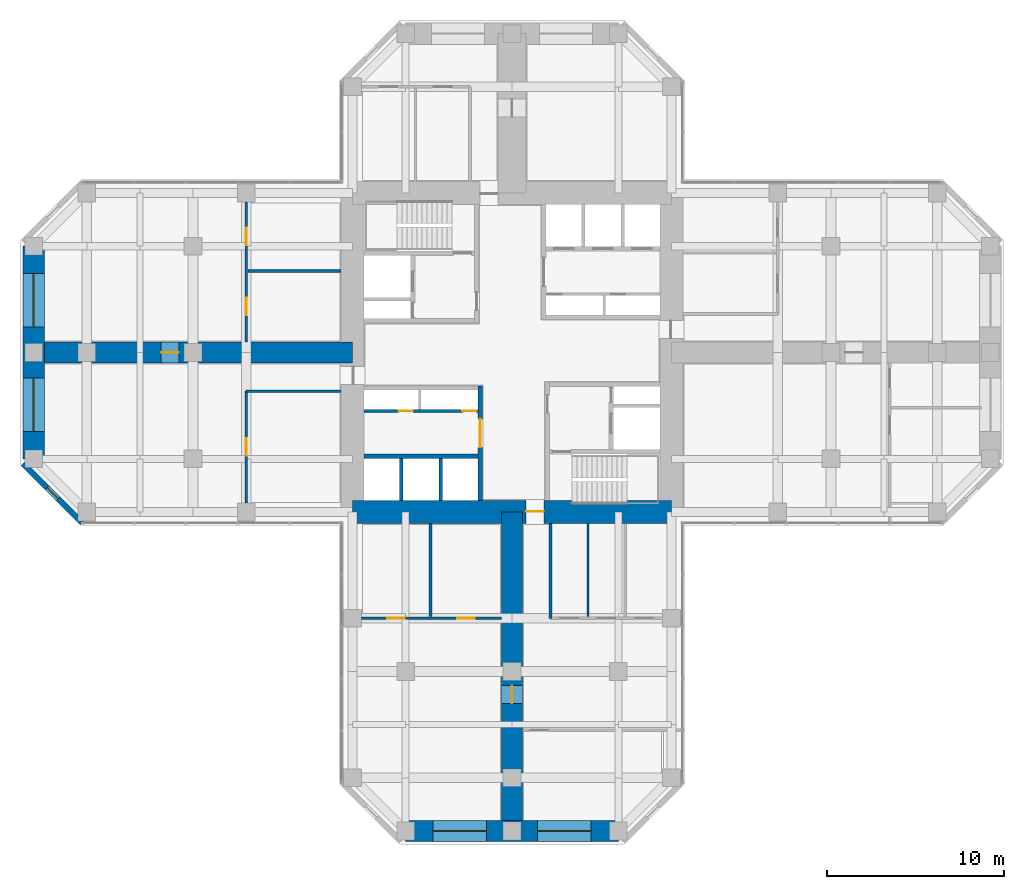
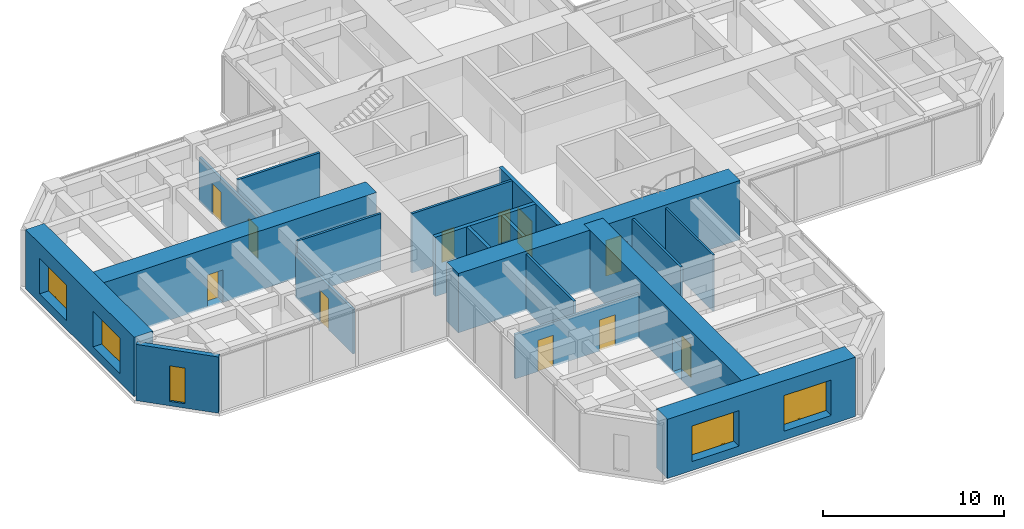
# One storey, part 8 of 12: 19 walls, 11 doors, 5 windows, 16 openings.
"""IFC4 building model written with IfcOpenShell, lengths in metres."""

import ifcopenshell
import ifcopenshell.guid

model = None  # the IFC model being written
_history = None  # IfcOwnerHistory: only IFC2X3 demands one
_inside = {}  # id of a spatial element -> (the spatial element, [elements in it])
_under = {}  # id of a project, library or spatial element -> (it, [spatial elements below it])
_declared = {}  # id of a project -> (the project, [libraries it declares])
_typed = {}  # id of a type object -> (the type object, [elements of that type])
_made_of = {}  # id of a material, layer set ... -> (it, [elements and type objects made of it])


def new_model(schema):
    """Start an empty IFC model of exactly this schema.

    Asked for "IFC4X3", IfcOpenShell would pick the latest addendum, in which some entities
    have other attributes; the version numbers below select the first issue.
    IFC2X3 requires an IfcOwnerHistory on every rooted entity: one is made here for all.
    """
    global model, _history
    if schema == "IFC4X3":
        model = ifcopenshell.file(schema_version=(4, 3, 0, 0))
    else:
        model = ifcopenshell.file(schema=schema)
    _inside.clear()
    _under.clear()
    _declared.clear()
    _typed.clear()
    _made_of.clear()
    _history = None
    if model.schema == "IFC2X3":
        org = make("IfcOrganization", Name="unknown")
        user = make(
            "IfcPersonAndOrganization",
            ThePerson=make("IfcPerson", FamilyName="unknown"),
            TheOrganization=org,
        )
        app = make(
            "IfcApplication",
            ApplicationDeveloper=org,
            Version="unknown",
            ApplicationFullName="unknown",
            ApplicationIdentifier="unknown",
        )
        _history = make(
            "IfcOwnerHistory",
            OwningUser=user,
            OwningApplication=app,
            ChangeAction="ADDED",
            CreationDate=0,
        )
    return model


def make(cls, **values):
    """One entity of the class cls with the attributes given. An attribute that is None is left unset."""
    return model.create_entity(
        cls, **{name: value for name, value in values.items() if value is not None}
    )


def rooted(cls, **values):
    """An entity with a GlobalId (a new one), such as an element, a storey or a relation."""
    return make(cls, GlobalId=ifcopenshell.guid.new(), OwnerHistory=_history, **values)


def si_unit(unit_type, name, prefix=None):
    """IfcSIUnit, for example si_unit("LENGTHUNIT", "METRE", prefix="MILLI")."""
    return make("IfcSIUnit", UnitType=unit_type, Prefix=prefix, Name=name)


def assignment(units):
    """IfcUnitAssignment: the units of a project."""
    return None if units is None else make("IfcUnitAssignment", Units=units)


def point(xyz):
    """IfcCartesianPoint."""
    return None if xyz is None else make("IfcCartesianPoint", Coordinates=xyz)


def direction(xyz):
    """IfcDirection."""
    return None if xyz is None else make("IfcDirection", DirectionRatios=xyz)


def frame(location, z_axis=None, x_axis=None):
    """IfcAxis2Placement3D, a coordinate frame: its origin and axes. An axis left out is left unset."""
    return make(
        "IfcAxis2Placement3D",
        Location=point(location),
        Axis=direction(z_axis),
        RefDirection=direction(x_axis),
    )


def frame_2d(location, x_axis=None):
    """IfcAxis2Placement2D, a coordinate frame in the plane: its origin and x axis."""
    return make(
        "IfcAxis2Placement2D", Location=point(location), RefDirection=direction(x_axis)
    )


def origin():
    """The frame at (0, 0, 0) with its axes left unset."""
    return frame((0.0, 0.0, 0.0))


def place(relative_to, where):
    """IfcLocalPlacement: puts the frame where relative to a parent placement (None: the world)."""
    return make(
        "IfcLocalPlacement", PlacementRelTo=relative_to, RelativePlacement=where
    )


def context(
    kind, dimensions, precision=None, world=None, true_north=None, identifier=None
):
    """IfcGeometricRepresentationContext, for example the 3D "Model" context."""
    return make(
        "IfcGeometricRepresentationContext",
        ContextIdentifier=identifier,
        ContextType=kind,
        CoordinateSpaceDimension=dimensions,
        Precision=precision,
        WorldCoordinateSystem=world,
        TrueNorth=true_north,
    )


def subcontext(parent, identifier, kind, view, scale=None):
    """IfcGeometricRepresentationSubContext, for example "Body" below "Model"."""
    return make(
        "IfcGeometricRepresentationSubContext",
        ContextIdentifier=identifier,
        ContextType=kind,
        ParentContext=parent,
        TargetScale=scale,
        TargetView=view,
    )


def project(units=None, contexts=None):
    """IfcProject with its units and contexts."""
    return rooted(
        "IfcProject",
        Name="project",
        RepresentationContexts=contexts,
        UnitsInContext=assignment(units),
    )


def spatial(cls, under=None, at=None, **own):
    """A site, building, storey or space (cls), placed at a placement, below another one or the project."""
    s = rooted(cls, ObjectPlacement=at, **own)
    if under is not None:
        _under.setdefault(under.id(), (under, []))[1].append(s)
    return s


def profile(cls, at=None, kind="AREA", **sizes):
    """A parametric profile (cls). Its sizes go by their IFC names, for example OverallWidth=200.0."""
    return make(cls, ProfileType=kind, Position=at, **sizes)


def rectangle(**sizes):
    """IfcRectangleProfileDef."""
    return profile("IfcRectangleProfileDef", **sizes)


def hollow_rectangle(**sizes):
    """IfcRectangleHollowProfileDef."""
    return profile("IfcRectangleHollowProfileDef", **sizes)


def extrude(swept, where, along, depth):
    """IfcExtrudedAreaSolid: the profile swept, set in the frame where, extruded along a direction by depth."""
    return make(
        "IfcExtrudedAreaSolid",
        SweptArea=swept,
        Position=where,
        ExtrudedDirection=direction(along),
        Depth=depth,
    )


def shape(context_of_items, identifier, shape_type, items):
    """IfcShapeRepresentation: the items that make up one representation, for example the "Body"."""
    return make(
        "IfcShapeRepresentation",
        ContextOfItems=context_of_items,
        RepresentationIdentifier=identifier,
        RepresentationType=shape_type,
        Items=items,
    )


def material(Name=None, Category=None):
    """IfcMaterial."""
    return make("IfcMaterial", Name=Name, Category=Category)


def layer(
    of_material, thickness, ventilated=None, Name=None, Category=None, Priority=None
):
    """IfcMaterialLayer: one layer of a wall or slab, of a material (None: an air gap)."""
    return make(
        "IfcMaterialLayer",
        Material=of_material,
        LayerThickness=thickness,
        IsVentilated=ventilated,
        Name=Name,
        Category=Category,
        Priority=Priority,
    )


def layer_set(layers, Name=None):
    """IfcMaterialLayerSet."""
    return make("IfcMaterialLayerSet", MaterialLayers=layers, LayerSetName=Name)


def constituent(of_material, Name=None, Category=None, fraction=None):
    """IfcMaterialConstituent: one of the materials an element consists of."""
    return make(
        "IfcMaterialConstituent",
        Name=Name,
        Material=of_material,
        Fraction=fraction,
        Category=Category,
    )


def constituent_set(constituents=None, Name=None):
    """IfcMaterialConstituentSet."""
    return make(
        "IfcMaterialConstituentSet", Name=Name, MaterialConstituents=constituents
    )


def made_of(thing, what):
    """Note that an element or type object is made of a material, layer set ...; save() writes the relation."""
    if what is not None:
        _made_of.setdefault(what.id(), (what, []))[1].append(thing)
    return thing


def type_object(cls, material=None, **own):
    """A type object (cls), such as IfcWallType, which elements share."""
    return made_of(rooted(cls, **own), material)


def element(
    cls,
    number,
    at=None,
    inside=None,
    cuts=None,
    type_object=None,
    material=None,
    context=None,
    identifier="Body",
    shape_type=None,
    held_by="IfcProductDefinitionShape",
    body=None,
    shapes=None,
    **own,
):
    """One element of the class cls, such as IfcWall. Its Tag is "e" and its number.

    at: its placement. inside: the storey or other place that contains it. cuts: it is an
    opening in that element (IfcRelVoidsElement). A single representation is given by context,
    identifier, shape_type and body (its items); several are given by shapes. held_by: the class
    of the entity that holds the representations. save() writes the other relations.
    """
    e = rooted(cls, Tag="e%d" % number, ObjectPlacement=at, **own)
    if body is not None:
        shapes = [shape(context, identifier, shape_type, body)]
    if shapes is not None:
        e.Representation = make(held_by, Representations=shapes)
    if inside is not None:
        _inside.setdefault(inside.id(), (inside, []))[1].append(e)
    if cuts is not None:
        rooted(
            "IfcRelVoidsElement", RelatingBuildingElement=cuts, RelatedOpeningElement=e
        )
    if type_object is not None:
        _typed.setdefault(type_object.id(), (type_object, []))[1].append(e)
    return made_of(e, material)


def fill(opening, filler):
    """IfcRelFillsElement: the door or window that sits in an opening."""
    return rooted(
        "IfcRelFillsElement",
        RelatingOpeningElement=opening,
        RelatedBuildingElement=filler,
    )


def aggregate(whole, parts):
    """IfcRelAggregates: a whole, such as a stair, and the parts it consists of."""
    return rooted("IfcRelAggregates", RelatingObject=whole, RelatedObjects=parts)


def save(model, path):
    """Write the relations noted so far, then the file.

    IfcRelAggregates (storeys below a building ...), IfcRelContainedInSpatialStructure (elements
    in a storey), IfcRelDefinesByType, IfcRelAssociatesMaterial and IfcRelDeclares: one each for
    every whole, place, type object, material and project.
    """
    for whole, parts in _under.values():
        aggregate(whole, parts)
    for where, things in _inside.values():
        rooted(
            "IfcRelContainedInSpatialStructure",
            RelatedElements=things,
            RelatingStructure=where,
        )
    for kind, things in _typed.values():
        rooted("IfcRelDefinesByType", RelatedObjects=things, RelatingType=kind)
    for what, things in _made_of.values():
        rooted("IfcRelAssociatesMaterial", RelatedObjects=things, RelatingMaterial=what)
    for by, libraries in _declared.values():
        rooted("IfcRelDeclares", RelatingContext=by, RelatedDefinitions=libraries)
    model.write(path)


model = new_model("IFC4")

# Units and contexts
model_context = context("Model", 3, precision=1e-05, world=origin(), true_north=direction((0.0, 1.0)))
body_context = subcontext(model_context, "Body", "Model", "MODEL_VIEW")
ifc_project = project(units=[si_unit("LENGTHUNIT", "METRE"), si_unit("AREAUNIT", "SQUARE_METRE"), si_unit("VOLUMEUNIT", "CUBIC_METRE"), si_unit("PLANEANGLEUNIT", "RADIAN"), si_unit("MASSUNIT", "GRAM", prefix="KILO")], contexts=[model_context])

# Site, building, storey
site_placement = place(None, origin())
site = spatial("IfcSite", under=ifc_project, at=site_placement, CompositionType="ELEMENT")
building_placement = place(site_placement, origin())
building = spatial("IfcBuilding", under=site, at=building_placement, Name="Torre Cruceta", CompositionType="ELEMENT")
storey_placement = place(building_placement, frame((0.0, 0.0, 120.5)))
storey = spatial("IfcBuildingStorey", under=building, at=storey_placement, Name="L29", CompositionType="ELEMENT", Elevation=120.5)

# Wall, opening, door
ifc_material_1 = material(Name="Concrete G60 (fck 60 MPa)", Category="concrete")
ifc_layer_1 = layer(ifc_material_1, 0.25)
ifc_layer_set_1 = layer_set([ifc_layer_1], Name="Concrete G60 (fck 60 MPa)")
wall_type_1 = type_object("IfcWallType", Name="CORE INNER WALL 250 G60", PredefinedType="SHEAR", material=ifc_layer_set_1)
wall_1_placement = place(storey_placement, frame((-1.800048828125, -1.875, 0.0), z_axis=(0.0, 0.0, 1.0), x_axis=(0.0, -1.0, 0.0)))
wall_1 = element("IfcWall", 1, at=wall_1_placement, inside=storey, type_object=wall_type_1, Name="CW4 L29 SW-CU", PredefinedType="SHEAR", context=body_context, shape_type="SweptSolid", body=[
    extrude(rectangle(XDim=6.47509765625, YDim=0.25, at=frame_2d((3.237548828125, 0.0))), origin(), (0.0, 0.0, 1.0), 4.0),
])
opening_1_placement = place(wall_1_placement, frame((1.875, 0.0, 0.0)))
opening_1 = element("IfcOpeningElement", 2, at=opening_1_placement, cuts=wall_1, Name="Opening D15", PredefinedType="OPENING", context=body_context, shape_type="SweptSolid", body=[
    extrude(rectangle(XDim=1.60009765625, YDim=2.39990234375, at=frame_2d((0.800048828125, 1.199951171875))), frame((0.0, 0.135009765625, 0.0), z_axis=(0.0, -1.0, 0.0), x_axis=(1.0, 0.0, 0.0)), (0.0, 0.0, 1.0), 0.27001953125),
])
ifc_material_2 = material(Name="Steel DX51D", Category="steel")
ifc_constituent_1 = constituent(ifc_material_2, Name="Leaf and frame")
ifc_material_3 = material(Name="Polyester powder coating", Category="paint")
ifc_constituent_2 = constituent(ifc_material_3, Name="Finish")
ifc_constituent_set_1 = constituent_set(constituents=[ifc_constituent_1, ifc_constituent_2], Name="Steel fire door")
door_type_1 = type_object("IfcDoorType", Name="CORE ROOM DOUBLE DOOR 1600X2400", OperationType="DOUBLE_DOOR_SINGLE_SWING", PredefinedType="DOOR", material=ifc_constituent_set_1)
door_1_placement = place(opening_1_placement, frame((1.60009765625, 0.0, 0.0), z_axis=(0.0, 0.0, 1.0), x_axis=(-1.0, 0.0, 0.0)))
door_1 = element("IfcDoor", 3, at=door_1_placement, inside=storey, type_object=door_type_1, Name="D15 L29 SW-LOBBY", OperationType="DOUBLE_DOOR_SINGLE_SWING", OverallHeight=2.39990234375, OverallWidth=1.60009765625, PredefinedType="DOOR", context=body_context, shape_type="SweptSolid", body=[
    extrude(rectangle(XDim=1.60009765625, YDim=2.39990234375, at=frame_2d((0.800048828125, 1.199951171875))), frame((0.0, 0.025146484375, 0.0), z_axis=(0.0, -1.0, 0.0), x_axis=(1.0, 0.0, 0.0)), (0.0, 0.0, 1.0), 0.050048828125),
])
fill(opening_1, door_1)

# Wall
wall_2_placement = place(storey_placement, frame((-1.925048828125, -5.85009765625, 0.0), z_axis=(0.0, 0.0, 1.0), x_axis=(-1.0, 0.0, 0.0)))
element("IfcWall", 4, at=wall_2_placement, inside=storey, type_object=wall_type_1, Name="CW4 L29 SW-LV", PredefinedType="SHEAR", context=body_context, shape_type="SweptSolid", body=[
    extrude(rectangle(XDim=6.425048828125, YDim=0.25, at=frame_2d((3.21240234375, 0.0))), origin(), (0.0, 0.0, 1.0), 4.0),
])

# Wall, opening, door
ifc_material_4 = material(Name="Concrete G60 (fck 60 MPa)", Category="concrete")
ifc_layer_2 = layer(ifc_material_4, 1.300048828125)
ifc_layer_set_2 = layer_set([ifc_layer_2], Name="Concrete G60 (fck 60 MPa)")
wall_type_2 = type_object("IfcWallType", Name="CORE WALL 1300 G60", PredefinedType="SHEAR", material=ifc_layer_set_2)
wall_3_placement = place(storey_placement, frame((-9.0, -9.0, 0.0), z_axis=(0.0, 0.0, 1.0), x_axis=(1.0, 0.0, 0.0)))
wall_3 = element("IfcWall", 5, at=wall_3_placement, inside=storey, type_object=wall_type_2, Name="CW1 L29 CW-S", PredefinedType="SHEAR", context=body_context, shape_type="SweptSolid", body=[
    extrude(rectangle(XDim=18.0, YDim=1.300048828125, at=frame_2d((9.0, 0.0))), origin(), (0.0, 0.0, 1.0), 4.0),
])
opening_2_placement = place(wall_3_placement, frame((9.800048828125, 0.0, 0.0)))
opening_2 = element("IfcOpeningElement", 6, at=opening_2_placement, cuts=wall_3, Name="Opening D4", PredefinedType="OPENING", context=body_context, shape_type="SweptSolid", body=[
    extrude(rectangle(XDim=1.0, YDim=2.39990234375, at=frame_2d((0.5, 1.199951171875))), frame((0.0, 0.659912109375, 0.0), z_axis=(0.0, -1.0, 0.0), x_axis=(1.0, 0.0, 0.0)), (0.0, 0.0, 1.0), 1.320068359375),
])
ifc_material_5 = material(Name="Steel DX51D", Category="steel")
ifc_constituent_3 = constituent(ifc_material_5, Name="Leaf and frame")
ifc_material_6 = material(Name="Polyester powder coating", Category="paint")
ifc_constituent_4 = constituent(ifc_material_6, Name="Finish")
ifc_constituent_set_2 = constituent_set(constituents=[ifc_constituent_3, ifc_constituent_4], Name="Steel fire door")
door_type_2 = type_object("IfcDoorType", Name="CORE ARM DOOR 1000X2400", OperationType="SINGLE_SWING_RIGHT", PredefinedType="DOOR", material=ifc_constituent_set_2)
door_2_placement = place(opening_2_placement, frame((1.0, 0.0, 0.0), z_axis=(0.0, 0.0, 1.0), x_axis=(-1.0, 0.0, 0.0)))
door_2 = element("IfcDoor", 7, at=door_2_placement, inside=storey, type_object=door_type_2, Name="D4 L29 CW-S", OperationType="SINGLE_SWING_RIGHT", OverallHeight=2.39990234375, OverallWidth=1.0, PredefinedType="DOOR", context=body_context, shape_type="SweptSolid", body=[
    extrude(rectangle(XDim=1.0, YDim=2.39990234375, at=frame_2d((0.5, 1.199951171875))), frame((0.0, -0.005126953125, 0.0), z_axis=(0.0, -1.0, 0.0), x_axis=(1.0, 0.0, 0.0)), (0.0, 0.0, 1.0), 0.050048828125),
])
fill(opening_2, door_2)

# Wall, opening, window
ifc_material_7 = material(Name="Concrete G30 (fck 30 MPa)", Category="concrete")
ifc_layer_3 = layer(ifc_material_7, 0.300048828125)
ifc_layer_set_3 = layer_set([ifc_layer_3], Name="Concrete G30 (fck 30 MPa)")
wall_type_3 = type_object("IfcWallType", Name="EXPOSED CONCRETE FACADE WALL 300", PredefinedType="SOLIDWALL", material=ifc_layer_set_3)
wall_4_placement = place(storey_placement, frame((-27.60009765625, -6.27685546875, 0.0), z_axis=(0.0, 0.0, 1.0), x_axis=(0.707106781187, -0.707106781187, 0.0)))
wall_4 = element("IfcWall", 8, at=wall_4_placement, inside=storey, type_object=wall_type_3, Name="EW1 facade wall L29 W chamfer 13", PredefinedType="SOLIDWALL", context=body_context, shape_type="SweptSolid", body=[
    extrude(rectangle(XDim=4.72802734375, YDim=0.300048828125, at=frame_2d((2.364013671875, 0.0))), origin(), (0.0, 0.0, 1.0), 3.800048828125),
])
opening_3_placement = place(wall_4_placement, frame((1.9140625, 0.0, 0.300048828125)))
opening_3 = element("IfcOpeningElement", 9, at=opening_3_placement, cuts=wall_4, Name="Opening WN5", PredefinedType="OPENING", context=body_context, shape_type="SweptSolid", body=[
    extrude(rectangle(XDim=0.89990234375, YDim=2.39990234375, at=frame_2d((0.449951171875, 1.199951171875))), frame((0.0, 0.159912109375, 0.0), z_axis=(0.0, -1.0, 0.0), x_axis=(1.0, 0.0, 0.0)), (0.0, 0.0, 1.0), 0.320068359375),
])
ifc_material_8 = material(Name="Aluminium window frame", Category="aluminium")
ifc_constituent_5 = constituent(ifc_material_8, Name="Frame")
ifc_material_9 = material(Name="Laminated insulating glass unit, low-iron clear", Category="glass")
ifc_constituent_6 = constituent(ifc_material_9, Name="Glazing")
ifc_constituent_set_3 = constituent_set(constituents=[ifc_constituent_5, ifc_constituent_6], Name="Aluminium window")
window_type_1 = type_object("IfcWindowType", Name="CHAMFER SLOT WINDOW 900X2400", PartitioningType="SINGLE_PANEL", PredefinedType="WINDOW", material=ifc_constituent_set_3)
window_1_placement = place(opening_3_placement, origin())
window_1 = element("IfcWindow", 10, at=window_1_placement, inside=storey, type_object=window_type_1, Name="WN5 L29 W 1", OverallHeight=2.39990234375, OverallWidth=0.89990234375, PartitioningType="SINGLE_PANEL", PredefinedType="WINDOW", context=body_context, shape_type="SweptSolid", body=[
    extrude(hollow_rectangle(XDim=0.89990234375, YDim=2.39990234375, WallThickness=0.06005859375, at=frame_2d((0.449951171875, 1.199951171875))), frame((0.0, 0.030029296875, 0.0), z_axis=(0.0, -1.0, 0.0), x_axis=(1.0, 0.0, 0.0)), (0.0, 0.0, 1.0), 0.06005859375),
    extrude(rectangle(XDim=0.77880859375, YDim=2.27880859375, at=frame_2d((0.449951171875, 1.199951171875))), frame((0.0, 0.030029296875, 0.0), z_axis=(0.0, -1.0, 0.0), x_axis=(1.0, 0.0, 0.0)), (0.0, 0.0, 1.0), 0.06005859375),
])
fill(opening_3, window_1)

# Walls
ifc_material_10 = material(Name="Concrete G35 (fck 35 MPa)", Category="concrete")
ifc_layer_4 = layer(ifc_material_10, 0.199951171875)
ifc_layer_set_4 = layer_set([ifc_layer_4], Name="Concrete G35 (fck 35 MPa)")
wall_type_4 = type_object("IfcWallType", Name="LIFT SHAFT WALL 200", PredefinedType="PARTITIONING", material=ifc_layer_set_4)
for number, where, z_axis, x_axis, name in (
    (11, (-4.033447265625, -5.97509765625, 0.0), (0.0, 0.0, 1.0), (0.0, -1.0, 0.0), "SW1 L29 SW-LS1"),
    (12, (-6.24169921875, -5.97509765625, 0.0), (0.0, 0.0, 1.0), (0.0, -1.0, 0.0), "SW1 L29 SW-LS2"),
):
    element("IfcWall", number, at=place(storey_placement, frame(where, z_axis=z_axis, x_axis=x_axis)), inside=storey, type_object=wall_type_4, Name=name, PredefinedType="PARTITIONING", context=body_context, shape_type="SweptSolid", body=[
        extrude(rectangle(XDim=2.375, YDim=0.199951171875, at=frame_2d((1.1875, 0.0))), origin(), (0.0, 0.0, 1.0), 4.0),
    ])

# Wall, openings, windows
ifc_material_11 = material(Name="Concrete G60 (fck 60 MPa)", Category="concrete")
ifc_layer_5 = layer(ifc_material_11, 1.199951171875)
ifc_layer_set_5 = layer_set([ifc_layer_5], Name="Concrete G60 (fck 60 MPa)")
wall_type_5 = type_object("IfcWallType", Name="NOSE WALL 1200 G60", PredefinedType="SHEAR", material=ifc_layer_set_5)
wall_5_placement = place(storey_placement, frame((-6.0, -27.0, 0.0), z_axis=(0.0, 0.0, 1.0), x_axis=(1.0, 0.0, 0.0)))
wall_5 = element("IfcWall", 13, at=wall_5_placement, inside=storey, type_object=wall_type_5, Name="NW1 nose wall L29 S", PredefinedType="SHEAR", context=body_context, shape_type="SweptSolid", body=[
    extrude(rectangle(XDim=12.0, YDim=1.199951171875, at=frame_2d((6.0, 0.0))), origin(), (0.0, 0.0, 1.0), 4.0),
])
opening_4_placement = place(wall_5_placement, frame((1.550048828125, 0.0, 0.60009765625)))
opening_4 = element("IfcOpeningElement", 14, at=opening_4_placement, cuts=wall_5, Name="Opening WN6", PredefinedType="OPENING", context=body_context, shape_type="SweptSolid", body=[
    extrude(rectangle(XDim=3.0, YDim=2.39990234375, at=frame_2d((1.5, 1.199951171875))), frame((0.0, 0.60986328125, 0.0), z_axis=(0.0, -1.0, 0.0), x_axis=(1.0, 0.0, 0.0)), (0.0, 0.0, 1.0), 1.219970703125),
])
opening_5_placement = place(wall_5_placement, frame((7.449951171875, 0.0, 0.60009765625)))
opening_5 = element("IfcOpeningElement", 15, at=opening_5_placement, cuts=wall_5, Name="Opening WN6", PredefinedType="OPENING", context=body_context, shape_type="SweptSolid", body=[
    extrude(rectangle(XDim=3.0, YDim=2.39990234375, at=frame_2d((1.5, 1.199951171875))), frame((0.0, 0.60986328125, 0.0), z_axis=(0.0, -1.0, 0.0), x_axis=(1.0, 0.0, 0.0)), (0.0, 0.0, 1.0), 1.219970703125),
])
ifc_material_12 = material(Name="Aluminium window frame", Category="aluminium")
ifc_constituent_7 = constituent(ifc_material_12, Name="Frame")
ifc_material_13 = material(Name="Laminated insulating glass unit, low-iron clear", Category="glass")
ifc_constituent_8 = constituent(ifc_material_13, Name="Glazing")
ifc_constituent_set_4 = constituent_set(constituents=[ifc_constituent_7, ifc_constituent_8], Name="Aluminium window")
window_type_2 = type_object("IfcWindowType", Name="NOSE WALL WINDOW 3000X2400", PartitioningType="SINGLE_PANEL", PredefinedType="WINDOW", material=ifc_constituent_set_4)
window_2_placement = place(opening_4_placement, origin())
window_2 = element("IfcWindow", 16, at=window_2_placement, inside=storey, type_object=window_type_2, Name="WN6 L29 S 1", OverallHeight=2.39990234375, OverallWidth=3.0, PartitioningType="SINGLE_PANEL", PredefinedType="WINDOW", context=body_context, shape_type="SweptSolid", body=[
    extrude(hollow_rectangle(XDim=3.0, YDim=2.39990234375, WallThickness=0.06005859375, at=frame_2d((1.5, 1.199951171875))), frame((0.0, 0.030029296875, 0.0), z_axis=(0.0, -1.0, 0.0), x_axis=(1.0, 0.0, 0.0)), (0.0, 0.0, 1.0), 0.06005859375),
    extrude(rectangle(XDim=2.87890625, YDim=2.27880859375, at=frame_2d((1.5, 1.199951171875))), frame((0.0, 0.030029296875, 0.0), z_axis=(0.0, -1.0, 0.0), x_axis=(1.0, 0.0, 0.0)), (0.0, 0.0, 1.0), 0.06005859375),
])
fill(opening_4, window_2)
window_3_placement = place(opening_5_placement, origin())
window_3 = element("IfcWindow", 17, at=window_3_placement, inside=storey, type_object=window_type_2, Name="WN6 L29 S 2", OverallHeight=2.39990234375, OverallWidth=3.0, PartitioningType="SINGLE_PANEL", PredefinedType="WINDOW", context=body_context, shape_type="SweptSolid", body=[
    extrude(hollow_rectangle(XDim=3.0, YDim=2.39990234375, WallThickness=0.06005859375, at=frame_2d((1.5, 1.199951171875))), frame((0.0, 0.030029296875, 0.0), z_axis=(0.0, -1.0, 0.0), x_axis=(1.0, 0.0, 0.0)), (0.0, 0.0, 1.0), 0.06005859375),
    extrude(rectangle(XDim=2.87890625, YDim=2.27880859375, at=frame_2d((1.5, 1.199951171875))), frame((0.0, 0.030029296875, 0.0), z_axis=(0.0, -1.0, 0.0), x_axis=(1.0, 0.0, 0.0)), (0.0, 0.0, 1.0), 0.06005859375),
])
fill(opening_5, window_3)

wall_6_placement = place(storey_placement, frame((-27.0, 6.0, 0.0), z_axis=(0.0, 0.0, 1.0), x_axis=(0.0, -1.0, 0.0)))
wall_6 = element("IfcWall", 18, at=wall_6_placement, inside=storey, type_object=wall_type_5, Name="NW1 nose wall L29 W", PredefinedType="SHEAR", context=body_context, shape_type="SweptSolid", body=[
    extrude(rectangle(XDim=12.0, YDim=1.199951171875, at=frame_2d((6.0, 0.0))), origin(), (0.0, 0.0, 1.0), 4.0),
])
opening_6_placement = place(wall_6_placement, frame((1.550048828125, 0.0, 0.60009765625)))
opening_6 = element("IfcOpeningElement", 19, at=opening_6_placement, cuts=wall_6, Name="Opening WN6", PredefinedType="OPENING", context=body_context, shape_type="SweptSolid", body=[
    extrude(rectangle(XDim=3.0, YDim=2.39990234375, at=frame_2d((1.5, 1.199951171875))), frame((0.0, 0.60986328125, 0.0), z_axis=(0.0, -1.0, 0.0), x_axis=(1.0, 0.0, 0.0)), (0.0, 0.0, 1.0), 1.219970703125),
])
opening_7_placement = place(wall_6_placement, frame((7.449951171875, 0.0, 0.60009765625)))
opening_7 = element("IfcOpeningElement", 20, at=opening_7_placement, cuts=wall_6, Name="Opening WN6", PredefinedType="OPENING", context=body_context, shape_type="SweptSolid", body=[
    extrude(rectangle(XDim=3.0, YDim=2.39990234375, at=frame_2d((1.5, 1.199951171875))), frame((0.0, 0.60986328125, 0.0), z_axis=(0.0, -1.0, 0.0), x_axis=(1.0, 0.0, 0.0)), (0.0, 0.0, 1.0), 1.219970703125),
])
window_4_placement = place(opening_6_placement, origin())
window_4 = element("IfcWindow", 21, at=window_4_placement, inside=storey, type_object=window_type_2, Name="WN6 L29 W 1", OverallHeight=2.39990234375, OverallWidth=3.0, PartitioningType="SINGLE_PANEL", PredefinedType="WINDOW", context=body_context, shape_type="SweptSolid", body=[
    extrude(hollow_rectangle(XDim=3.0, YDim=2.39990234375, WallThickness=0.06005859375, at=frame_2d((1.5, 1.199951171875))), frame((0.0, 0.030029296875, 0.0), z_axis=(0.0, -1.0, 0.0), x_axis=(1.0, 0.0, 0.0)), (0.0, 0.0, 1.0), 0.06005859375),
    extrude(rectangle(XDim=2.87890625, YDim=2.27880859375, at=frame_2d((1.5, 1.199951171875))), frame((0.0, 0.030029296875, 0.0), z_axis=(0.0, -1.0, 0.0), x_axis=(1.0, 0.0, 0.0)), (0.0, 0.0, 1.0), 0.06005859375),
])
fill(opening_6, window_4)
window_5_placement = place(opening_7_placement, origin())
window_5 = element("IfcWindow", 22, at=window_5_placement, inside=storey, type_object=window_type_2, Name="WN6 L29 W 2", OverallHeight=2.39990234375, OverallWidth=3.0, PartitioningType="SINGLE_PANEL", PredefinedType="WINDOW", context=body_context, shape_type="SweptSolid", body=[
    extrude(hollow_rectangle(XDim=3.0, YDim=2.39990234375, WallThickness=0.06005859375, at=frame_2d((1.5, 1.199951171875))), frame((0.0, 0.030029296875, 0.0), z_axis=(0.0, -1.0, 0.0), x_axis=(1.0, 0.0, 0.0)), (0.0, 0.0, 1.0), 0.06005859375),
    extrude(rectangle(XDim=2.87890625, YDim=2.27880859375, at=frame_2d((1.5, 1.199951171875))), frame((0.0, 0.030029296875, 0.0), z_axis=(0.0, -1.0, 0.0), x_axis=(1.0, 0.0, 0.0)), (0.0, 0.0, 1.0), 0.06005859375),
])
fill(opening_7, window_5)

# Wall
ifc_material_14 = material(Name="Plasterboard on steel studs", Category="steel")
ifc_layer_6 = layer(ifc_material_14, 0.14990234375)
ifc_layer_set_6 = layer_set([ifc_layer_6], Name="Plasterboard on steel studs")
wall_type_6 = type_object("IfcWallType", Name="PARTITION 150", PredefinedType="PARTITIONING", material=ifc_layer_set_6)
wall_7_placement = place(storey_placement, frame((2.175048828125, -9.64990234375, 0.0), z_axis=(0.0, 0.0, 1.0), x_axis=(0.0, -1.0, 0.0)))
element("IfcWall", 23, at=wall_7_placement, inside=storey, type_object=wall_type_6, Name="PT1 L29-S-BSL", PredefinedType="PARTITIONING", context=body_context, shape_type="SweptSolid", body=[
    extrude(rectangle(XDim=5.35009765625, YDim=0.14990234375, at=frame_2d((2.675048828125, 0.0))), origin(), (0.0, 0.0, 1.0), 3.800048828125),
])

# Wall, openings, doors
wall_8_placement = place(storey_placement, frame((-8.5, -15.0, 0.0), z_axis=(0.0, 0.0, 1.0), x_axis=(1.0, 0.0, 0.0)))
wall_8 = element("IfcWall", 24, at=wall_8_placement, inside=storey, type_object=wall_type_6, Name="PT1 L29-S-BFR", PredefinedType="PARTITIONING", context=body_context, shape_type="SweptSolid", body=[
    extrude(rectangle(XDim=7.89990234375, YDim=0.14990234375, at=frame_2d((3.949951171875, 0.0))), origin(), (0.0, 0.0, 1.0), 3.0),
])
opening_8_placement = place(wall_8_placement, frame((1.449951171875, 0.0, 0.0)))
opening_8 = element("IfcOpeningElement", 25, at=opening_8_placement, cuts=wall_8, Name="Opening D3", PredefinedType="OPENING", context=body_context, shape_type="SweptSolid", body=[
    extrude(rectangle(XDim=1.0, YDim=2.10009765625, at=frame_2d((0.5, 1.050048828125))), frame((0.0, 0.0849609375, 0.0), z_axis=(0.0, -1.0, 0.0), x_axis=(1.0, 0.0, 0.0)), (0.0, 0.0, 1.0), 0.169921875),
])
opening_9_placement = place(wall_8_placement, frame((5.39990234375, 0.0, 0.0)))
opening_9 = element("IfcOpeningElement", 26, at=opening_9_placement, cuts=wall_8, Name="Opening D3", PredefinedType="OPENING", context=body_context, shape_type="SweptSolid", body=[
    extrude(rectangle(XDim=1.0, YDim=2.10009765625, at=frame_2d((0.5, 1.050048828125))), frame((0.0, 0.0849609375, 0.0), z_axis=(0.0, -1.0, 0.0), x_axis=(1.0, 0.0, 0.0)), (0.0, 0.0, 1.0), 0.169921875),
])
ifc_material_15 = material(Name="Steel DX51D", Category="steel")
ifc_constituent_9 = constituent(ifc_material_15, Name="Leaf and frame")
ifc_material_16 = material(Name="Polyester powder coating", Category="paint")
ifc_constituent_10 = constituent(ifc_material_16, Name="Finish")
ifc_constituent_set_5 = constituent_set(constituents=[ifc_constituent_9, ifc_constituent_10], Name="Steel fire door")
door_type_3 = type_object("IfcDoorType", Name="FIRE DOOR 1000X2100", OperationType="SINGLE_SWING_LEFT", PredefinedType="DOOR", material=ifc_constituent_set_5)
door_3_placement = place(opening_8_placement, origin())
door_3 = element("IfcDoor", 27, at=door_3_placement, inside=storey, type_object=door_type_3, Name="D3 L29-S-BFR-D1", OperationType="SINGLE_SWING_RIGHT", OverallHeight=2.10009765625, OverallWidth=1.0, PredefinedType="DOOR", context=body_context, shape_type="SweptSolid", body=[
    extrude(rectangle(XDim=1.0, YDim=2.10009765625, at=frame_2d((0.5, 1.050048828125))), frame((0.0, 0.02490234375, 0.0), z_axis=(0.0, -1.0, 0.0), x_axis=(1.0, 0.0, 0.0)), (0.0, 0.0, 1.0), 0.050048828125),
])
fill(opening_8, door_3)
door_4_placement = place(opening_9_placement, origin())
door_4 = element("IfcDoor", 28, at=door_4_placement, inside=storey, type_object=door_type_3, Name="D3 L29-S-BFR-D2", OperationType="SINGLE_SWING_LEFT", OverallHeight=2.10009765625, OverallWidth=1.0, PredefinedType="DOOR", context=body_context, shape_type="SweptSolid", body=[
    extrude(rectangle(XDim=1.0, YDim=2.10009765625, at=frame_2d((0.5, 1.050048828125))), frame((0.0, 0.02490234375, 0.0), z_axis=(0.0, -1.0, 0.0), x_axis=(1.0, 0.0, 0.0)), (0.0, 0.0, 1.0), 0.050048828125),
])
fill(opening_9, door_4)

# Wall
wall_9_placement = place(storey_placement, frame((-4.60009765625, -9.64990234375, 0.0), z_axis=(0.0, 0.0, 1.0), x_axis=(0.0, -1.0, 0.0)))
element("IfcWall", 29, at=wall_9_placement, inside=storey, type_object=wall_type_6, Name="PT1 L29-S-BDR1", PredefinedType="PARTITIONING", context=body_context, shape_type="SweptSolid", body=[
    extrude(rectangle(XDim=5.25, YDim=0.14990234375, at=frame_2d((2.625, 0.0))), origin(), (0.0, 0.0, 1.0), 3.800048828125),
])

# Wall, opening, door
wall_10_placement = place(storey_placement, frame((-15.0, -2.175048828125, 0.0), z_axis=(0.0, 0.0, 1.0), x_axis=(0.0, -1.0, 0.0)))
wall_10 = element("IfcWall", 30, at=wall_10_placement, inside=storey, type_object=wall_type_6, Name="PT1 L29-W-BFL", PredefinedType="PARTITIONING", context=body_context, shape_type="SweptSolid", body=[
    extrude(rectangle(XDim=6.324951171875, YDim=0.14990234375, at=frame_2d((3.16259765625, 0.0))), origin(), (0.0, 0.0, 1.0), 3.0),
])
opening_10_placement = place(wall_10_placement, frame((2.66259765625, 0.0, 0.0)))
opening_10 = element("IfcOpeningElement", 31, at=opening_10_placement, cuts=wall_10, Name="Opening D3", PredefinedType="OPENING", context=body_context, shape_type="SweptSolid", body=[
    extrude(rectangle(XDim=1.0, YDim=2.10009765625, at=frame_2d((0.5, 1.050048828125))), frame((0.0, 0.0849609375, 0.0), z_axis=(0.0, -1.0, 0.0), x_axis=(1.0, 0.0, 0.0)), (0.0, 0.0, 1.0), 0.169921875),
])
door_5_placement = place(opening_10_placement, origin())
door_5 = element("IfcDoor", 32, at=door_5_placement, inside=storey, type_object=door_type_3, Name="D3 L29-W-BFL-D1", OperationType="SINGLE_SWING_LEFT", OverallHeight=2.10009765625, OverallWidth=1.0, PredefinedType="DOOR", context=body_context, shape_type="SweptSolid", body=[
    extrude(rectangle(XDim=1.0, YDim=2.10009765625, at=frame_2d((0.5, 1.050048828125))), frame((0.0, 0.02490234375, 0.0), z_axis=(0.0, -1.0, 0.0), x_axis=(1.0, 0.0, 0.0)), (0.0, 0.0, 1.0), 0.050048828125),
])
fill(opening_10, door_5)

# Wall
wall_11_placement = place(storey_placement, frame((-9.64990234375, -2.175048828125, 0.0), z_axis=(0.0, 0.0, 1.0), x_axis=(-1.0, 0.0, 0.0)))
element("IfcWall", 33, at=wall_11_placement, inside=storey, type_object=wall_type_6, Name="PT1 L29-W-BSL", PredefinedType="PARTITIONING", context=body_context, shape_type="SweptSolid", body=[
    extrude(rectangle(XDim=5.35009765625, YDim=0.14990234375, at=frame_2d((2.675048828125, 0.0))), origin(), (0.0, 0.0, 1.0), 3.800048828125),
])

# Wall, openings, doors
wall_12_placement = place(storey_placement, frame((-15.0, 8.5, 0.0), z_axis=(0.0, 0.0, 1.0), x_axis=(0.0, -1.0, 0.0)))
wall_12 = element("IfcWall", 34, at=wall_12_placement, inside=storey, type_object=wall_type_6, Name="PT1 L29-W-BFR", PredefinedType="PARTITIONING", context=body_context, shape_type="SweptSolid", body=[
    extrude(rectangle(XDim=7.89990234375, YDim=0.14990234375, at=frame_2d((3.949951171875, 0.0))), origin(), (0.0, 0.0, 1.0), 3.0),
])
opening_11_placement = place(wall_12_placement, frame((1.449951171875, 0.0, 0.0)))
opening_11 = element("IfcOpeningElement", 35, at=opening_11_placement, cuts=wall_12, Name="Opening D3", PredefinedType="OPENING", context=body_context, shape_type="SweptSolid", body=[
    extrude(rectangle(XDim=1.0, YDim=2.10009765625, at=frame_2d((0.5, 1.050048828125))), frame((0.0, 0.0849609375, 0.0), z_axis=(0.0, -1.0, 0.0), x_axis=(1.0, 0.0, 0.0)), (0.0, 0.0, 1.0), 0.169921875),
])
opening_12_placement = place(wall_12_placement, frame((5.39990234375, 0.0, 0.0)))
opening_12 = element("IfcOpeningElement", 36, at=opening_12_placement, cuts=wall_12, Name="Opening D3", PredefinedType="OPENING", context=body_context, shape_type="SweptSolid", body=[
    extrude(rectangle(XDim=1.0, YDim=2.10009765625, at=frame_2d((0.5, 1.050048828125))), frame((0.0, 0.0849609375, 0.0), z_axis=(0.0, -1.0, 0.0), x_axis=(1.0, 0.0, 0.0)), (0.0, 0.0, 1.0), 0.169921875),
])
door_6_placement = place(opening_11_placement, origin())
door_6 = element("IfcDoor", 37, at=door_6_placement, inside=storey, type_object=door_type_3, Name="D3 L29-W-BFR-D1", OperationType="SINGLE_SWING_RIGHT", OverallHeight=2.10009765625, OverallWidth=1.0, PredefinedType="DOOR", context=body_context, shape_type="SweptSolid", body=[
    extrude(rectangle(XDim=1.0, YDim=2.10009765625, at=frame_2d((0.5, 1.050048828125))), frame((0.0, 0.02490234375, 0.0), z_axis=(0.0, -1.0, 0.0), x_axis=(1.0, 0.0, 0.0)), (0.0, 0.0, 1.0), 0.050048828125),
])
fill(opening_11, door_6)
door_7_placement = place(opening_12_placement, origin())
door_7 = element("IfcDoor", 38, at=door_7_placement, inside=storey, type_object=door_type_3, Name="D3 L29-W-BFR-D2", OperationType="SINGLE_SWING_LEFT", OverallHeight=2.10009765625, OverallWidth=1.0, PredefinedType="DOOR", context=body_context, shape_type="SweptSolid", body=[
    extrude(rectangle(XDim=1.0, YDim=2.10009765625, at=frame_2d((0.5, 1.050048828125))), frame((0.0, 0.02490234375, 0.0), z_axis=(0.0, -1.0, 0.0), x_axis=(1.0, 0.0, 0.0)), (0.0, 0.0, 1.0), 0.050048828125),
])
fill(opening_12, door_7)

# Wall
wall_13_placement = place(storey_placement, frame((-9.64990234375, 4.60009765625, 0.0), z_axis=(0.0, 0.0, 1.0), x_axis=(-1.0, 0.0, 0.0)))
element("IfcWall", 39, at=wall_13_placement, inside=storey, type_object=wall_type_6, Name="PT1 L29-W-BDR1", PredefinedType="PARTITIONING", context=body_context, shape_type="SweptSolid", body=[
    extrude(rectangle(XDim=5.25, YDim=0.14990234375, at=frame_2d((2.625, 0.0))), origin(), (0.0, 0.0, 1.0), 3.800048828125),
])

# Wall, openings, doors
ifc_material_17 = material(Name="Concrete block masonry", Category="masonry")
ifc_layer_7 = layer(ifc_material_17, 0.14990234375)
ifc_layer_set_7 = layer_set([ifc_layer_7], Name="Concrete block masonry")
wall_type_7 = type_object("IfcWallType", Name="RISER WALL 150", PredefinedType="PARTITIONING", material=ifc_layer_set_7)
wall_14_placement = place(storey_placement, frame((-1.925048828125, -3.300048828125, 0.0), z_axis=(0.0, 0.0, 1.0), x_axis=(-1.0, 0.0, 0.0)))
wall_14 = element("IfcWall", 40, at=wall_14_placement, inside=storey, type_object=wall_type_7, Name="SW7 L29 SW-RV", PredefinedType="PARTITIONING", context=body_context, shape_type="SweptSolid", body=[
    extrude(rectangle(XDim=6.425048828125, YDim=0.14990234375, at=frame_2d((3.21240234375, 0.0))), origin(), (0.0, 0.0, 1.0), 4.0),
])
opening_13_placement = place(wall_14_placement, frame((0.074951171875, 0.0, 0.0)))
opening_13 = element("IfcOpeningElement", 41, at=opening_13_placement, cuts=wall_14, Name="Opening D5", PredefinedType="OPENING", context=body_context, shape_type="SweptSolid", body=[
    extrude(rectangle(XDim=0.800048828125, YDim=2.10009765625, at=frame_2d((0.39990234375, 1.050048828125))), frame((0.0, 0.0849609375, 0.0), z_axis=(0.0, -1.0, 0.0), x_axis=(1.0, 0.0, 0.0)), (0.0, 0.0, 1.0), 0.169921875),
])
opening_14_placement = place(wall_14_placement, frame((3.675048828125, 0.0, 0.0)))
opening_14 = element("IfcOpeningElement", 42, at=opening_14_placement, cuts=wall_14, Name="Opening D5", PredefinedType="OPENING", context=body_context, shape_type="SweptSolid", body=[
    extrude(rectangle(XDim=0.800048828125, YDim=2.10009765625, at=frame_2d((0.39990234375, 1.050048828125))), frame((0.0, 0.0849609375, 0.0), z_axis=(0.0, -1.0, 0.0), x_axis=(1.0, 0.0, 0.0)), (0.0, 0.0, 1.0), 0.169921875),
])
ifc_material_18 = material(Name="Steel DX51D", Category="steel")
ifc_constituent_11 = constituent(ifc_material_18, Name="Leaf and frame")
ifc_material_19 = material(Name="Polyester powder coating", Category="paint")
ifc_constituent_12 = constituent(ifc_material_19, Name="Finish")
ifc_constituent_set_6 = constituent_set(constituents=[ifc_constituent_11, ifc_constituent_12], Name="Steel fire door")
door_type_4 = type_object("IfcDoorType", Name="RISER ACCESS DOOR 800X2100", OperationType="SINGLE_SWING_LEFT", PredefinedType="DOOR", material=ifc_constituent_set_6)
door_8_placement = place(opening_13_placement, frame((0.800048828125, 0.0, 0.0), z_axis=(0.0, 0.0, 1.0), x_axis=(-1.0, 0.0, 0.0)))
door_8 = element("IfcDoor", 43, at=door_8_placement, inside=storey, type_object=door_type_4, Name="D5 L29 SW-RISER1", OperationType="SINGLE_SWING_RIGHT", OverallHeight=2.10009765625, OverallWidth=0.800048828125, PredefinedType="DOOR", context=body_context, shape_type="SweptSolid", body=[
    extrude(rectangle(XDim=0.800048828125, YDim=2.10009765625, at=frame_2d((0.400146484375, 1.050048828125))), frame((0.0, 0.025146484375, 0.0), z_axis=(0.0, -1.0, 0.0), x_axis=(1.0, 0.0, 0.0)), (0.0, 0.0, 1.0), 0.050048828125),
])
fill(opening_13, door_8)
door_9_placement = place(opening_14_placement, frame((0.800048828125, 0.0, 0.0), z_axis=(0.0, 0.0, 1.0), x_axis=(-1.0, 0.0, 0.0)))
door_9 = element("IfcDoor", 44, at=door_9_placement, inside=storey, type_object=door_type_4, Name="D5 L29 SW-RISER2", OperationType="SINGLE_SWING_RIGHT", OverallHeight=2.10009765625, OverallWidth=0.800048828125, PredefinedType="DOOR", context=body_context, shape_type="SweptSolid", body=[
    extrude(rectangle(XDim=0.800048828125, YDim=2.10009765625, at=frame_2d((0.400146484375, 1.050048828125))), frame((0.0, 0.025146484375, 0.0), z_axis=(0.0, -1.0, 0.0), x_axis=(1.0, 0.0, 0.0)), (0.0, 0.0, 1.0), 0.050048828125),
])
fill(opening_14, door_9)

# Wall, opening, door
ifc_material_20 = material(Name="Concrete G60 (fck 60 MPa)", Category="concrete")
ifc_layer_8 = layer(ifc_material_20, 1.199951171875)
ifc_layer_set_8 = layer_set([ifc_layer_8], Name="Concrete G60 (fck 60 MPa)")
wall_type_8 = type_object("IfcWallType", Name="SPINE WALL 1200 G60", PredefinedType="SHEAR", material=ifc_layer_set_8)
wall_15_placement = place(storey_placement, frame((0.0, -9.0, 0.0), z_axis=(0.0, 0.0, 1.0), x_axis=(0.0, -1.0, 0.0)))
wall_15 = element("IfcWall", 45, at=wall_15_placement, inside=storey, type_object=wall_type_8, Name="SW3 spine wall L29 S", PredefinedType="SHEAR", context=body_context, shape_type="SweptSolid", body=[
    extrude(rectangle(XDim=18.0, YDim=1.199951171875, at=frame_2d((9.0, 0.0))), origin(), (0.0, 0.0, 1.0), 4.0),
])
opening_15_placement = place(wall_15_placement, frame((9.800048828125, 0.0, 0.0)))
opening_15 = element("IfcOpeningElement", 46, at=opening_15_placement, cuts=wall_15, Name="Opening D14", PredefinedType="OPENING", context=body_context, shape_type="SweptSolid", body=[
    extrude(rectangle(XDim=1.0, YDim=2.199951171875, at=frame_2d((0.5, 1.10009765625))), frame((0.0, 0.60986328125, 0.0), z_axis=(0.0, -1.0, 0.0), x_axis=(1.0, 0.0, 0.0)), (0.0, 0.0, 1.0), 1.219970703125),
])
ifc_material_21 = material(Name="Steel DX51D", Category="steel")
ifc_constituent_13 = constituent(ifc_material_21, Name="Leaf and frame")
ifc_material_22 = material(Name="Polyester powder coating", Category="paint")
ifc_constituent_14 = constituent(ifc_material_22, Name="Finish")
ifc_material_23 = material(Name="Fire-resisting glass", Category="glass")
ifc_constituent_15 = constituent(ifc_material_23, Name="Vision panel")
ifc_constituent_set_7 = constituent_set(constituents=[ifc_constituent_13, ifc_constituent_14, ifc_constituent_15], Name="Steel fire door with vision panel")
door_type_5 = type_object("IfcDoorType", Name="FIRE DOOR VISION PANEL 1000X2200", OperationType="SINGLE_SWING_RIGHT", PredefinedType="DOOR", material=ifc_constituent_set_7)
door_10_placement = place(opening_15_placement, origin())
door_10 = element("IfcDoor", 47, at=door_10_placement, inside=storey, type_object=door_type_5, Name="D14 L29-S-SP1", OperationType="SINGLE_SWING_RIGHT", OverallHeight=2.199951171875, OverallWidth=1.0, PredefinedType="DOOR", context=body_context, shape_type="SweptSolid", body=[
    extrude(rectangle(XDim=1.0, YDim=2.199951171875, at=frame_2d((0.5, 1.10009765625))), frame((0.0, 0.02490234375, 0.0), z_axis=(0.0, -1.0, 0.0), x_axis=(1.0, 0.0, 0.0)), (0.0, 0.0, 1.0), 0.050048828125),
])
fill(opening_15, door_10)

wall_16_placement = place(storey_placement, frame((-9.0, 0.0, 0.0), z_axis=(0.0, 0.0, 1.0), x_axis=(-1.0, 0.0, 0.0)))
wall_16 = element("IfcWall", 48, at=wall_16_placement, inside=storey, type_object=wall_type_8, Name="SW3 spine wall L29 W", PredefinedType="SHEAR", context=body_context, shape_type="SweptSolid", body=[
    extrude(rectangle(XDim=18.0, YDim=1.199951171875, at=frame_2d((9.0, 0.0))), origin(), (0.0, 0.0, 1.0), 4.0),
])
opening_16_placement = place(wall_16_placement, frame((9.800048828125, 0.0, 0.0)))
opening_16 = element("IfcOpeningElement", 49, at=opening_16_placement, cuts=wall_16, Name="Opening D14", PredefinedType="OPENING", context=body_context, shape_type="SweptSolid", body=[
    extrude(rectangle(XDim=1.0, YDim=2.199951171875, at=frame_2d((0.5, 1.10009765625))), frame((0.0, 0.60986328125, 0.0), z_axis=(0.0, -1.0, 0.0), x_axis=(1.0, 0.0, 0.0)), (0.0, 0.0, 1.0), 1.219970703125),
])
door_11_placement = place(opening_16_placement, frame((1.0, 0.0, 0.0), z_axis=(0.0, 0.0, 1.0), x_axis=(-1.0, 0.0, 0.0)))
door_11 = element("IfcDoor", 50, at=door_11_placement, inside=storey, type_object=door_type_5, Name="D14 L29-W-SP1", OperationType="SINGLE_SWING_RIGHT", OverallHeight=2.199951171875, OverallWidth=1.0, PredefinedType="DOOR", context=body_context, shape_type="SweptSolid", body=[
    extrude(rectangle(XDim=1.0, YDim=2.199951171875, at=frame_2d((0.5, 1.10009765625))), frame((0.0, 0.025146484375, 0.0), z_axis=(0.0, -1.0, 0.0), x_axis=(1.0, 0.0, 0.0)), (0.0, 0.0, 1.0), 0.050048828125),
])
fill(opening_16, door_11)

# Wall
ifc_material_24 = material(Name="Plasterboard on steel studs", Category="steel")
ifc_layer_9 = layer(ifc_material_24, 0.1201171875)
ifc_layer_set_9 = layer_set([ifc_layer_9], Name="Plasterboard on steel studs")
wall_type_9 = type_object("IfcWallType", Name="WC PARTITION 120", PredefinedType="PLUMBINGWALL", material=ifc_layer_set_9)
wall_17_placement = place(storey_placement, frame((4.283447265625, -9.64990234375, 0.0), z_axis=(0.0, 0.0, 1.0), x_axis=(0.0, -1.0, 0.0)))
element("IfcWall", 51, at=wall_17_placement, inside=storey, type_object=wall_type_9, Name="PT5 L29-S-BDL1", PredefinedType="PLUMBINGWALL", context=body_context, shape_type="SweptSolid", body=[
    extrude(rectangle(XDim=5.25, YDim=0.1201171875, at=frame_2d((2.625, 0.0))), origin(), (0.0, 0.0, 1.0), 3.800048828125),
])

save(model, "model.ifc")
